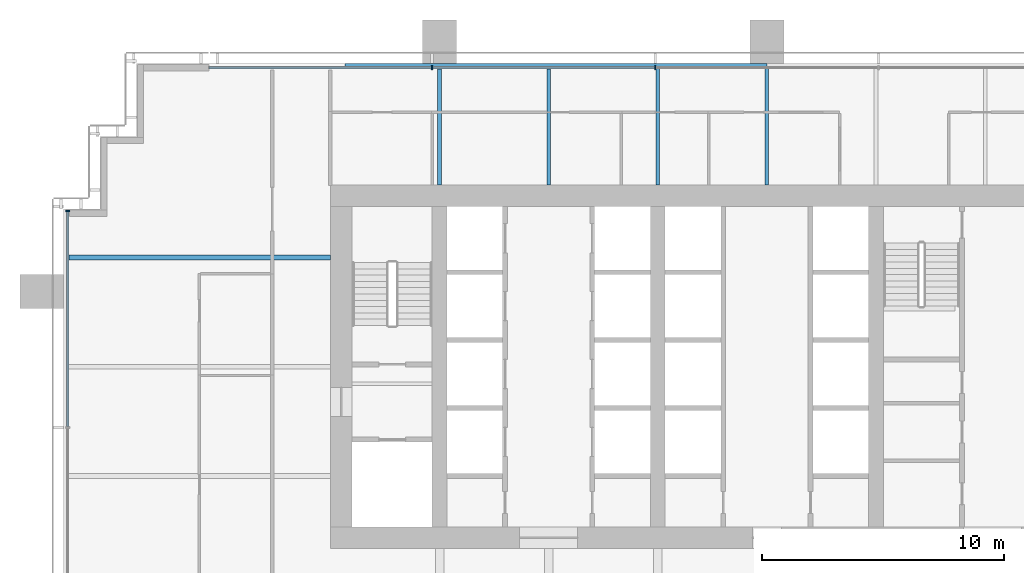
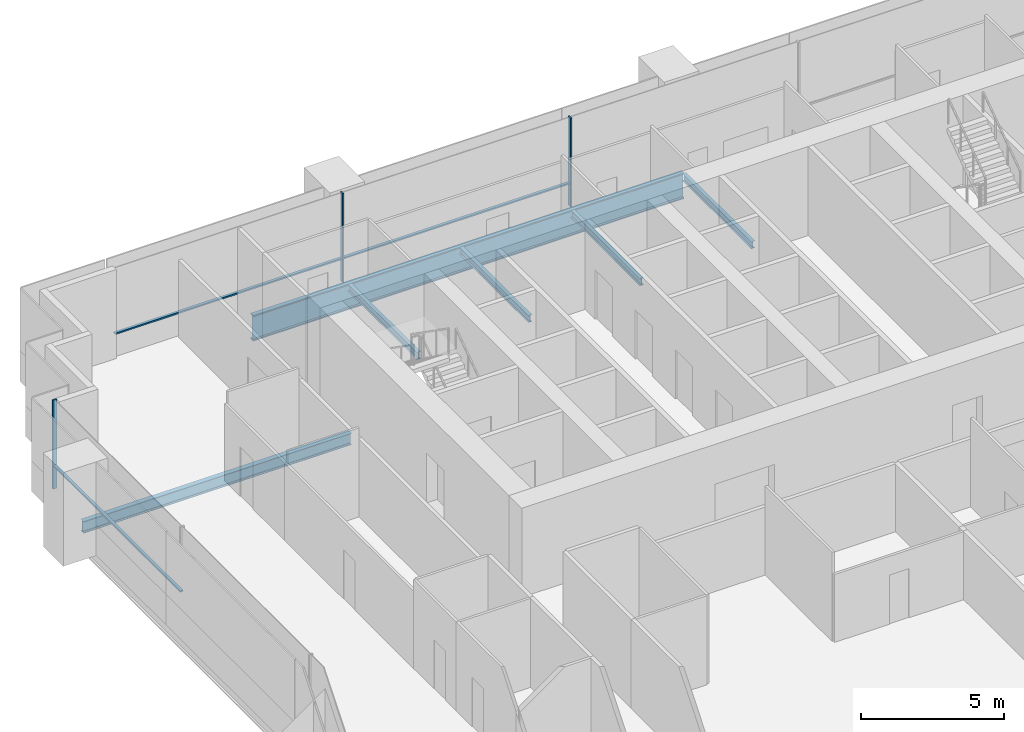
# One storey, part 7 of 17: 6 beams, 6 members, 2 elements without a shape of their own.
"""IFC4 building model written with IfcOpenShell, lengths in metres."""

from ifc_helpers import new_model, si_unit, direction, frame, origin, origin_2d, place, context, subcontext, project, spatial, rectangle, i_section, extrude, material, material_profile, profile_set, type_object, element, aggregate, save


model = new_model("IFC4")

# Units and contexts
model_context = context("Model", 3, precision=1e-05, world=origin(), true_north=direction((0.0, 1.0)))
body_context = subcontext(model_context, "Body", "Model", "MODEL_VIEW")
ifc_project = project(units=[si_unit("LENGTHUNIT", "METRE"), si_unit("AREAUNIT", "SQUARE_METRE"), si_unit("VOLUMEUNIT", "CUBIC_METRE"), si_unit("PLANEANGLEUNIT", "RADIAN"), si_unit("MASSUNIT", "GRAM", prefix="KILO")], contexts=[model_context])

# Site, building, storey
site_placement = place(None, origin())
site = spatial("IfcSite", under=ifc_project, at=site_placement, CompositionType="ELEMENT")
building_placement = place(site_placement, origin())
building = spatial("IfcBuilding", under=site, at=building_placement, Name="Rattan Terrace Tower", CompositionType="ELEMENT")
storey_placement = place(building_placement, frame((0.0, 0.0, 146.10009765625)))
storey = spatial("IfcBuildingStorey", under=building, at=storey_placement, Name="L33", CompositionType="ELEMENT", Elevation=146.10009765625)

# Curtain wall, members
ifc_material_1 = material(Name="Aluminium and glass", Category="aluminium")
curtain_wall_type = type_object("IfcCurtainWallType", Name="Facade Unitised Curtain Wall", PredefinedType="NOTDEFINED", material=ifc_material_1)
curtain_wall_1_placement = place(storey_placement, origin())
curtain_wall_1 = element("IfcCurtainWall", 1, at=curtain_wall_1_placement, inside=storey, type_object=curtain_wall_type, Name="Curtain wall L33-2", PredefinedType="NOTDEFINED")
ifc_material_2 = material(Name="Aluminium", Category="aluminium")
ifc_material_profile_1 = material_profile(ifc_material_2, rectangle(XDim=0.06005859375, YDim=0.159912109375, at=origin_2d()), Name="Aluminium 60x160")
ifc_profile_set_1 = profile_set([ifc_material_profile_1], Name="Aluminium")
member_type_1 = type_object("IfcMemberType", Name="Facade CW Mullion 60x160", PredefinedType="MULLION", material=ifc_profile_set_1)
member_1_placement = place(storey_placement, frame((-4.60302734375, 12.330078125, 0.0), z_axis=(0.0, 0.0, 1.0), x_axis=(-1.0, 0.0, 0.0)))
member_1 = element("IfcMember", 2, at=member_1_placement, type_object=member_type_1, Name="Mullion cwl-L33-002.4", PredefinedType="MULLION", context=body_context, shape_type="SweptSolid", body=[
    extrude(rectangle(XDim=0.06005859375, YDim=0.159912109375, at=origin_2d()), origin(), (0.0, 0.0, 1.0), 3.7998046875),
])
member_2_placement = place(storey_placement, frame((-13.803955078125, 12.330078125, 0.0), z_axis=(0.0, 0.0, 1.0), x_axis=(-1.0, 0.0, 0.0)))
member_2 = element("IfcMember", 3, at=member_2_placement, type_object=member_type_1, Name="Mullion cwl-L33-002.5", PredefinedType="MULLION", context=body_context, shape_type="SweptSolid", body=[
    extrude(rectangle(XDim=0.06005859375, YDim=0.159912109375, at=origin_2d()), origin(), (0.0, 0.0, 1.0), 3.7998046875),
])

# Curtain wall, member
curtain_wall_2_placement = place(storey_placement, origin())
curtain_wall_2 = element("IfcCurtainWall", 4, at=curtain_wall_2_placement, inside=storey, type_object=curtain_wall_type, Name="Curtain wall L33-3", PredefinedType="NOTDEFINED")
member_3_placement = place(storey_placement, frame((-28.830078125, 6.425048828125, 0.0), z_axis=(0.0, 0.0, 1.0), x_axis=(0.0, -1.0, 0.0)))
member_3 = element("IfcMember", 5, at=member_3_placement, type_object=member_type_1, Name="Mullion cwl-L33-003.1", PredefinedType="MULLION", context=body_context, shape_type="SweptSolid", body=[
    extrude(rectangle(XDim=0.06005859375, YDim=0.159912109375, at=origin_2d()), origin(), (0.0, 0.0, 1.0), 3.7998046875),
])

# Member
ifc_material_3 = material(Name="Aluminium", Category="aluminium")
ifc_material_profile_2 = material_profile(ifc_material_3, rectangle(XDim=0.1201171875, YDim=0.06005859375, at=origin_2d()), Name="Aluminium 120x60")
ifc_profile_set_2 = profile_set([ifc_material_profile_2], Name="Aluminium")
member_type_2 = type_object("IfcMemberType", Name="Facade CW Transom 120x60", PredefinedType="USERDEFINED", material=ifc_profile_set_2)
member_4_placement = place(storey_placement, frame((-4.633056640625, 12.330078125, 1.0), z_axis=(-1.0, 0.0, 0.0), x_axis=(0.0, -1.0, 0.0)))
member_4 = element("IfcMember", 6, at=member_4_placement, type_object=member_type_2, Name="Transom cwl-L33-002.4", ObjectType="TRANSOM", PredefinedType="USERDEFINED", context=body_context, shape_type="SweptSolid", body=[
    extrude(rectangle(XDim=0.1201171875, YDim=0.06005859375, at=origin_2d()), origin(), (0.0, 0.0, 1.0), 9.140869140625),
])

member_5_placement = place(storey_placement, frame((-13.833984375, 12.330078125, 1.0), z_axis=(-1.0, 0.0, 0.0), x_axis=(0.0, -1.0, 0.0)))
member_5 = element("IfcMember", 7, at=member_5_placement, type_object=member_type_2, Name="Transom cwl-L33-002.5", ObjectType="TRANSOM", PredefinedType="USERDEFINED", context=body_context, shape_type="SweptSolid", body=[
    extrude(rectangle(XDim=0.1201171875, YDim=0.06005859375, at=origin_2d()), origin(), (0.0, 0.0, 1.0), 9.166015625),
])

aggregate(curtain_wall_1, [member_1, member_2, member_4, member_5])

member_6_placement = place(storey_placement, frame((-28.830078125, 6.39501953125, 1.0), z_axis=(0.0, -1.0, 0.0), x_axis=(1.0, 0.0, 0.0)))
member_6 = element("IfcMember", 8, at=member_6_placement, type_object=member_type_2, Name="Transom cwl-L33-003.1", ObjectType="TRANSOM", PredefinedType="USERDEFINED", context=body_context, shape_type="SweptSolid", body=[
    extrude(rectangle(XDim=0.1201171875, YDim=0.06005859375, at=origin_2d()), origin(), (0.0, 0.0, 1.0), 8.864990234375),
])

aggregate(curtain_wall_2, [member_3, member_6])

# Beams
ifc_material_4 = material(Name="Steel S460", Category="steel")
ifc_material_profile_3 = material_profile(ifc_material_4, i_section(OverallWidth=0.179931640625, OverallDepth=1.10009765625, WebThickness=0.01611328125, FlangeThickness=0.050048828125, at=origin_2d()), Name="PG 1100x180-16-50")
ifc_profile_set_3 = profile_set([ifc_material_profile_3], Name="Steel S460")
beam_type_1 = type_object("IfcBeamType", Name="Frame edge girder PG 1100x180-16-50", PredefinedType="SPANDREL", material=ifc_profile_set_3)
beam_1_placement = place(storey_placement, frame((-17.39990234375, 12.409912109375, -0.75), z_axis=(1.0, 0.0, 0.0), x_axis=(0.0, 1.0, 0.0)))
element("IfcBeam", 9, at=beam_1_placement, inside=storey, type_object=beam_type_1, Name="gdr-L33-005", PredefinedType="SPANDREL", context=body_context, shape_type="SweptSolid", body=[
    extrude(i_section(OverallWidth=0.179931640625, OverallDepth=1.10009765625, WebThickness=0.01611328125, FlangeThickness=0.050048828125, at=origin_2d()), origin(), (0.0, 0.0, 1.0), 17.39990234375),
])
ifc_material_5 = material(Name="Steel S355", Category="steel")
ifc_material_profile_4 = material_profile(ifc_material_5, i_section(OverallWidth=0.14990234375, OverallDepth=0.300048828125, WebThickness=0.007080078125, FlangeThickness=0.0107421875, FilletRadius=0.014892578125, at=origin_2d()), Name="IPE 300")
ifc_profile_set_4 = profile_set([ifc_material_profile_4], Name="Steel S355")
beam_type_2 = type_object("IfcBeamType", Name="Frame floor beam IPE 300", PredefinedType="JOIST", material=ifc_profile_set_4)
for number, where, z_axis, x_axis, name in (
    (10, (-13.5, 7.5, -0.35009765625), (0.0, 1.0, 0.0), (-1.0, 0.0, 0.0), "bm-L33-016"),
    (11, (-9.0, 7.5, -0.35009765625), (0.0, 1.0, 0.0), (-1.0, 0.0, 0.0), "bm-L33-017"),
    (12, (-4.5, 7.5, -0.35009765625), (0.0, 1.0, 0.0), (-1.0, 0.0, 0.0), "bm-L33-018"),
    (13, (0.0, 7.5, -0.35009765625), (0.0, 1.0, 0.0), (-1.0, 0.0, 0.0), "bm-L33-019"),
):
    element("IfcBeam", number, at=place(storey_placement, frame(where, z_axis=z_axis, x_axis=x_axis)), inside=storey, type_object=beam_type_2, Name=name, PredefinedType="JOIST", context=body_context, shape_type="SweptSolid", body=[
        extrude(i_section(OverallWidth=0.14990234375, OverallDepth=0.300048828125, WebThickness=0.007080078125, FlangeThickness=0.0107421875, FilletRadius=0.014892578125, at=origin_2d()), origin(), (0.0, 0.0, 1.0), 4.820068359375),
    ])
ifc_material_6 = material(Name="Steel S355", Category="steel")
ifc_material_profile_5 = material_profile(ifc_material_6, i_section(OverallWidth=0.199951171875, OverallDepth=0.5, WebThickness=0.01025390625, FlangeThickness=0.01611328125, FilletRadius=0.02099609375, at=origin_2d()), Name="IPE 500")
ifc_profile_set_5 = profile_set([ifc_material_profile_5], Name="Steel S355")
beam_type_3 = type_object("IfcBeamType", Name="Frame floor beam IPE 500", PredefinedType="JOIST", material=ifc_profile_set_5)
beam_2_placement = place(storey_placement, frame((-28.820068359375, 4.5, -0.4501953125), z_axis=(1.0, 0.0, 0.0), x_axis=(0.0, 1.0, 0.0)))
element("IfcBeam", 14, at=beam_2_placement, inside=storey, type_object=beam_type_3, Name="bm-L33-014", PredefinedType="JOIST", context=body_context, shape_type="SweptSolid", body=[
    extrude(i_section(OverallWidth=0.199951171875, OverallDepth=0.5, WebThickness=0.01025390625, FlangeThickness=0.01611328125, FilletRadius=0.02099609375, at=origin_2d()), origin(), (0.0, 0.0, 1.0), 10.820068359375),
])

save(model, "model.ifc")
